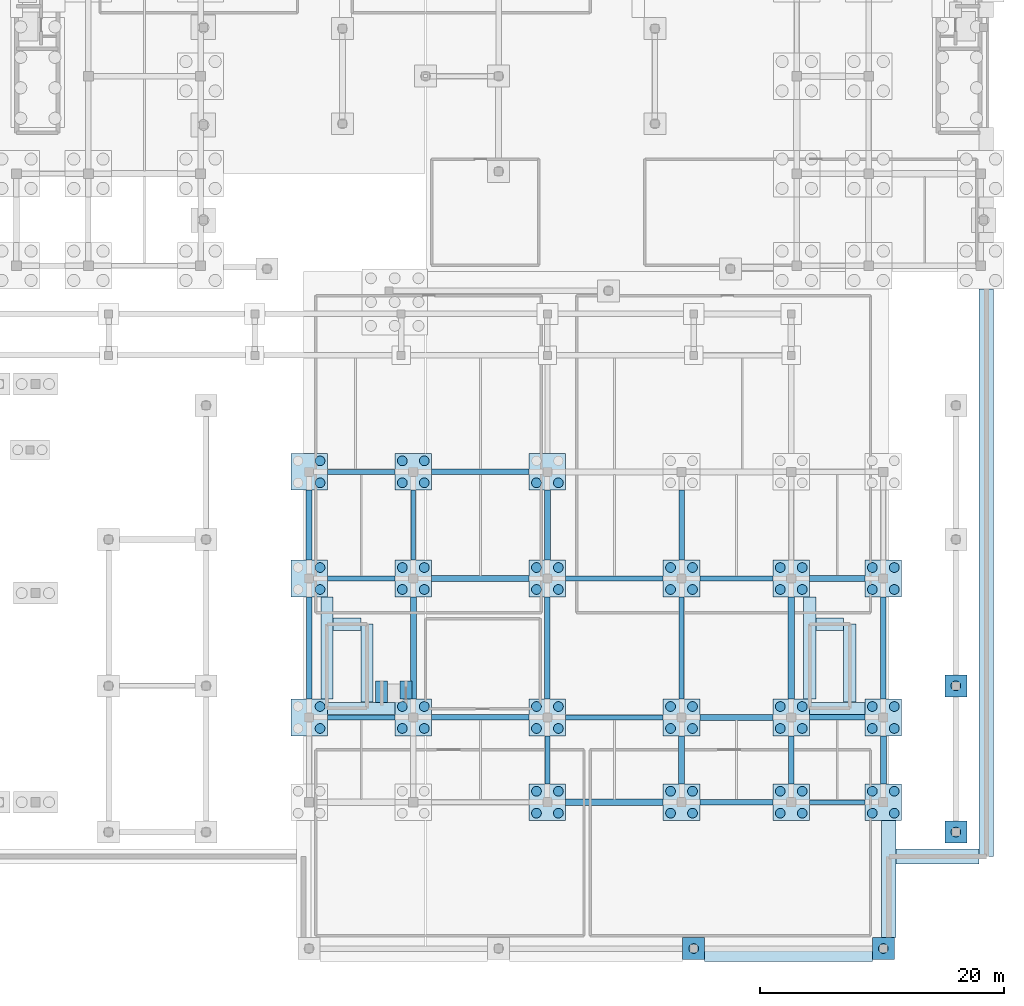
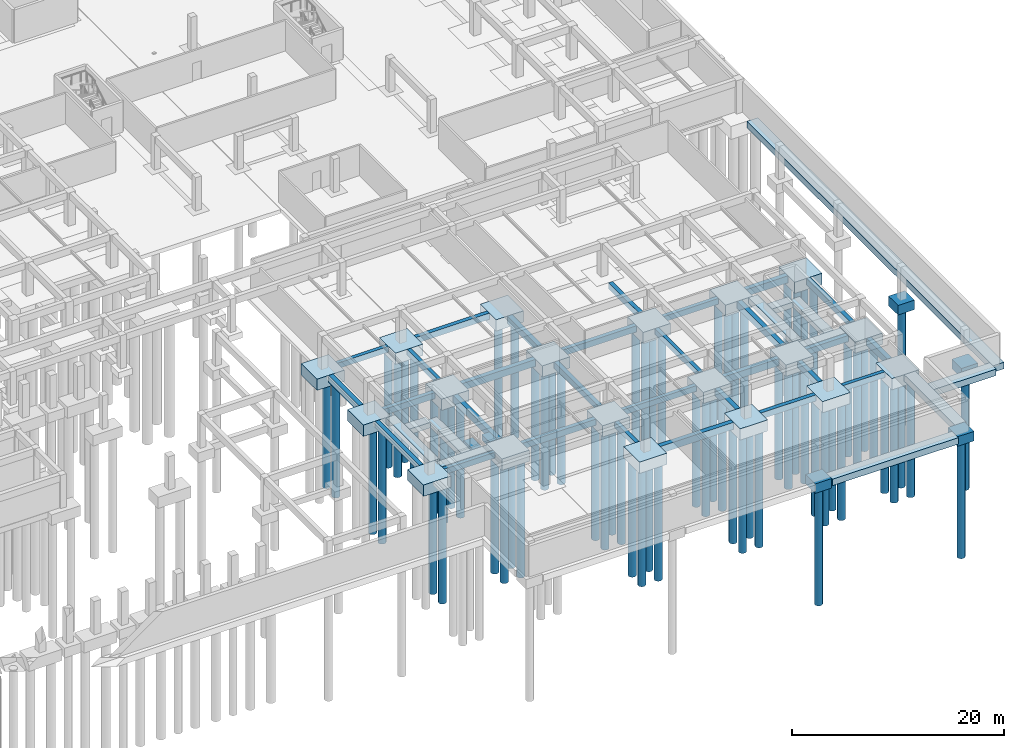
# One storey, part 9 of 35: 72 piles, 66 footings.
"""IFC4 building model written with IfcOpenShell, lengths in metres."""

from ifc_helpers import new_model, si_unit, direction, frame, origin, origin_2d, place, context, subcontext, project, spatial, rectangle, circle, extrude, material, material_profile, profile_set, type_object, element, save


model = new_model("IFC4")

# Units and contexts
model_context = context("Model", 3, precision=1e-05, world=origin(), true_north=direction((0.0, 1.0)))
body_context = subcontext(model_context, "Body", "Model", "MODEL_VIEW")
ifc_project = project(units=[si_unit("LENGTHUNIT", "METRE"), si_unit("AREAUNIT", "SQUARE_METRE"), si_unit("VOLUMEUNIT", "CUBIC_METRE"), si_unit("PLANEANGLEUNIT", "RADIAN"), si_unit("MASSUNIT", "GRAM", prefix="KILO")], contexts=[model_context])

# Site, building, storey
site_placement = place(None, origin())
site = spatial("IfcSite", under=ifc_project, at=site_placement, CompositionType="ELEMENT")
building_placement = place(site_placement, origin())
building = spatial("IfcBuilding", under=site, at=building_placement, Name="Keldmere Railside Commons", CompositionType="ELEMENT")
storey_placement = place(building_placement, frame((0.0, 0.0, -3.840087890625)))
storey = spatial("IfcBuildingStorey", under=building, at=storey_placement, Name="B1", CompositionType="ELEMENT", Elevation=-3.840087890625)

# Piles
ifc_material_1 = material(Name="Concrete H-30 (C30/37)", Category="concrete")
ifc_material_profile = material_profile(ifc_material_1, circle(Radius=0.39990234375, at=origin_2d()), Name="PILE-D800")
ifc_profile_set = profile_set([ifc_material_profile], Name="Concrete H-30 (C30/37)")
pile_type = type_object("IfcPileType", Name="Bored Concrete Pile D800", PredefinedType="BORED", material=ifc_profile_set)
for number, where, z_axis, x_axis, name in (
    (1, (129.35009765625, 18.5, -1.199951171875), (0.0, 0.0, -1.0), (1.0, 0.0, 0.0), "BP-800 PILE-0596"),
    (2, (129.35009765625, 20.300048828125, -1.199951171875), (0.0, 0.0, -1.0), (1.0, 0.0, 0.0), "BP-800 PILE-0597"),
    (3, (129.35009765625, 29.89990234375, -1.199951171875), (0.0, 0.0, -1.0), (1.0, 0.0, 0.0), "BP-800 PILE-0600"),
    (4, (129.35009765625, 31.699951171875, -1.199951171875), (0.0, 0.0, -1.0), (1.0, 0.0, 0.0), "BP-800 PILE-0601"),
    (5, (129.35009765625, 38.64990234375, -1.199951171875), (0.0, 0.0, -1.0), (1.0, 0.0, 0.0), "BP-800 PILE-0604"),
    (6, (129.35009765625, 40.449951171875, -1.199951171875), (0.0, 0.0, -1.0), (1.0, 0.0, 0.0), "BP-800 PILE-0605"),
    (7, (136.10009765625, 18.5, -1.199951171875), (0.0, 0.0, -1.0), (1.0, 0.0, 0.0), "BP-800 PILE-0630"),
    (8, (137.89990234375, 18.5, -1.199951171875), (0.0, 0.0, -1.0), (1.0, 0.0, 0.0), "BP-800 PILE-0631"),
    (9, (137.89990234375, 20.300048828125, -1.199951171875), (0.0, 0.0, -1.0), (1.0, 0.0, 0.0), "BP-800 PILE-0632"),
    (10, (136.10009765625, 20.300048828125, -1.199951171875), (0.0, 0.0, -1.0), (1.0, 0.0, 0.0), "BP-800 PILE-0633"),
    (11, (136.10009765625, 29.89990234375, -1.199951171875), (0.0, 0.0, -1.0), (1.0, 0.0, 0.0), "BP-800 PILE-0634"),
    (12, (137.89990234375, 29.89990234375, -1.199951171875), (0.0, 0.0, -1.0), (1.0, 0.0, 0.0), "BP-800 PILE-0635"),
    (13, (137.89990234375, 31.699951171875, -1.199951171875), (0.0, 0.0, -1.0), (1.0, 0.0, 0.0), "BP-800 PILE-0636"),
    (14, (136.10009765625, 31.699951171875, -1.199951171875), (0.0, 0.0, -1.0), (1.0, 0.0, 0.0), "BP-800 PILE-0637"),
    (15, (136.10009765625, 38.64990234375, -1.199951171875), (0.0, 0.0, -1.0), (1.0, 0.0, 0.0), "BP-800 PILE-0638"),
    (16, (137.89990234375, 38.64990234375, -1.199951171875), (0.0, 0.0, -1.0), (1.0, 0.0, 0.0), "BP-800 PILE-0639"),
    (17, (137.89990234375, 40.449951171875, -1.199951171875), (0.0, 0.0, -1.0), (1.0, 0.0, 0.0), "BP-800 PILE-0640"),
    (18, (136.10009765625, 40.449951171875, -1.199951171875), (0.0, 0.0, -1.0), (1.0, 0.0, 0.0), "BP-800 PILE-0641"),
    (19, (147.10009765625, 11.550048828125, -1.199951171875), (0.0, 0.0, -1.0), (1.0, 0.0, 0.0), "BP-800 PILE-0664"),
    (20, (148.89990234375, 11.550048828125, -1.199951171875), (0.0, 0.0, -1.0), (1.0, 0.0, 0.0), "BP-800 PILE-0665"),
    (21, (148.89990234375, 13.35009765625, -1.199951171875), (0.0, 0.0, -1.0), (1.0, 0.0, 0.0), "BP-800 PILE-0666"),
    (22, (147.10009765625, 13.35009765625, -1.199951171875), (0.0, 0.0, -1.0), (1.0, 0.0, 0.0), "BP-800 PILE-0667"),
    (23, (147.10009765625, 18.5, -1.199951171875), (0.0, 0.0, -1.0), (1.0, 0.0, 0.0), "BP-800 PILE-0668"),
    (24, (148.89990234375, 18.5, -1.199951171875), (0.0, 0.0, -1.0), (1.0, 0.0, 0.0), "BP-800 PILE-0669"),
    (25, (148.89990234375, 20.300048828125, -1.199951171875), (0.0, 0.0, -1.0), (1.0, 0.0, 0.0), "BP-800 PILE-0670"),
    (26, (147.10009765625, 20.300048828125, -1.199951171875), (0.0, 0.0, -1.0), (1.0, 0.0, 0.0), "BP-800 PILE-0671"),
    (27, (147.10009765625, 29.89990234375, -1.199951171875), (0.0, 0.0, -1.0), (1.0, 0.0, 0.0), "BP-800 PILE-0672"),
    (28, (148.89990234375, 29.89990234375, -1.199951171875), (0.0, 0.0, -1.0), (1.0, 0.0, 0.0), "BP-800 PILE-0673"),
    (29, (148.89990234375, 31.699951171875, -1.199951171875), (0.0, 0.0, -1.0), (1.0, 0.0, 0.0), "BP-800 PILE-0674"),
    (30, (147.10009765625, 31.699951171875, -1.199951171875), (0.0, 0.0, -1.0), (1.0, 0.0, 0.0), "BP-800 PILE-0675"),
    (31, (147.10009765625, 38.64990234375, -1.199951171875), (0.0, 0.0, -1.0), (1.0, 0.0, 0.0), "BP-800 PILE-0676"),
    (32, (148.89990234375, 38.64990234375, -1.199951171875), (0.0, 0.0, -1.0), (1.0, 0.0, 0.0), "BP-800 PILE-0677"),
    (33, (158.10009765625, 11.550048828125, -1.199951171875), (0.0, 0.0, -1.0), (1.0, 0.0, 0.0), "BP-800 PILE-0691"),
    (34, (159.89990234375, 11.550048828125, -1.199951171875), (0.0, 0.0, -1.0), (1.0, 0.0, 0.0), "BP-800 PILE-0692"),
    (35, (159.89990234375, 13.35009765625, -1.199951171875), (0.0, 0.0, -1.0), (1.0, 0.0, 0.0), "BP-800 PILE-0693"),
    (36, (158.10009765625, 13.35009765625, -1.199951171875), (0.0, 0.0, -1.0), (1.0, 0.0, 0.0), "BP-800 PILE-0694"),
    (37, (158.10009765625, 18.5, -1.199951171875), (0.0, 0.0, -1.0), (1.0, 0.0, 0.0), "BP-800 PILE-0695"),
    (38, (159.89990234375, 18.5, -1.199951171875), (0.0, 0.0, -1.0), (1.0, 0.0, 0.0), "BP-800 PILE-0696"),
    (39, (159.89990234375, 20.300048828125, -1.199951171875), (0.0, 0.0, -1.0), (1.0, 0.0, 0.0), "BP-800 PILE-0697"),
    (40, (158.10009765625, 20.300048828125, -1.199951171875), (0.0, 0.0, -1.0), (1.0, 0.0, 0.0), "BP-800 PILE-0698"),
    (41, (158.10009765625, 29.89990234375, -1.199951171875), (0.0, 0.0, -1.0), (1.0, 0.0, 0.0), "BP-800 PILE-0699"),
    (42, (159.89990234375, 29.89990234375, -1.199951171875), (0.0, 0.0, -1.0), (1.0, 0.0, 0.0), "BP-800 PILE-0700"),
    (43, (159.89990234375, 31.699951171875, -1.199951171875), (0.0, 0.0, -1.0), (1.0, 0.0, 0.0), "BP-800 PILE-0701"),
    (44, (158.10009765625, 31.699951171875, -1.199951171875), (0.0, 0.0, -1.0), (1.0, 0.0, 0.0), "BP-800 PILE-0702"),
):
    element("IfcPile", number, at=place(storey_placement, frame(where, z_axis=z_axis, x_axis=x_axis)), inside=storey, type_object=pile_type, Name=name, PredefinedType="BORED", context=body_context, shape_type="SweptSolid", body=[
        extrude(circle(Radius=0.39990234375, at=origin_2d()), origin(), (0.0, 0.0, 1.0), 13.4599609375),
    ])
pile_1_placement = place(storey_placement, frame((160.0, 0.449951171875, -1.0), z_axis=(0.0, 0.0, -1.0), x_axis=(1.0, 0.0, 0.0)))
element("IfcPile", 45, at=pile_1_placement, inside=storey, type_object=pile_type, Name="BP-800 PILE-0707", PredefinedType="BORED", context=body_context, shape_type="SweptSolid", body=[
    extrude(circle(Radius=0.39990234375, at=origin_2d()), origin(), (0.0, 0.0, 1.0), 13.659912109375),
])
for number, where, z_axis, x_axis, name in (
    (46, (167.10009765625, 11.550048828125, -1.199951171875), (0.0, 0.0, -1.0), (1.0, 0.0, 0.0), "BP-800 PILE-0721"),
    (47, (168.89990234375, 11.550048828125, -1.199951171875), (0.0, 0.0, -1.0), (1.0, 0.0, 0.0), "BP-800 PILE-0722"),
    (48, (168.89990234375, 13.35009765625, -1.199951171875), (0.0, 0.0, -1.0), (1.0, 0.0, 0.0), "BP-800 PILE-0723"),
    (49, (167.10009765625, 13.35009765625, -1.199951171875), (0.0, 0.0, -1.0), (1.0, 0.0, 0.0), "BP-800 PILE-0724"),
    (50, (167.10009765625, 18.5, -1.199951171875), (0.0, 0.0, -1.0), (1.0, 0.0, 0.0), "BP-800 PILE-0725"),
    (51, (168.89990234375, 18.5, -1.199951171875), (0.0, 0.0, -1.0), (1.0, 0.0, 0.0), "BP-800 PILE-0726"),
    (52, (168.89990234375, 20.300048828125, -1.199951171875), (0.0, 0.0, -1.0), (1.0, 0.0, 0.0), "BP-800 PILE-0727"),
    (53, (167.10009765625, 20.300048828125, -1.199951171875), (0.0, 0.0, -1.0), (1.0, 0.0, 0.0), "BP-800 PILE-0728"),
    (54, (167.10009765625, 29.89990234375, -1.199951171875), (0.0, 0.0, -1.0), (1.0, 0.0, 0.0), "BP-800 PILE-0729"),
    (55, (168.89990234375, 29.89990234375, -1.199951171875), (0.0, 0.0, -1.0), (1.0, 0.0, 0.0), "BP-800 PILE-0730"),
    (56, (168.89990234375, 31.699951171875, -1.199951171875), (0.0, 0.0, -1.0), (1.0, 0.0, 0.0), "BP-800 PILE-0731"),
    (57, (167.10009765625, 31.699951171875, -1.199951171875), (0.0, 0.0, -1.0), (1.0, 0.0, 0.0), "BP-800 PILE-0732"),
):
    element("IfcPile", number, at=place(storey_placement, frame(where, z_axis=z_axis, x_axis=x_axis)), inside=storey, type_object=pile_type, Name=name, PredefinedType="BORED", context=body_context, shape_type="SweptSolid", body=[
        extrude(circle(Radius=0.39990234375, at=origin_2d()), origin(), (0.0, 0.0, 1.0), 13.4599609375),
    ])
pile_2_placement = place(storey_placement, frame((175.550048828125, 0.449951171875, -1.0), z_axis=(0.0, 0.0, -1.0), x_axis=(1.0, 0.0, 0.0)))
element("IfcPile", 58, at=pile_2_placement, inside=storey, type_object=pile_type, Name="BP-800 PILE-0798", PredefinedType="BORED", context=body_context, shape_type="SweptSolid", body=[
    extrude(circle(Radius=0.39990234375, at=origin_2d()), origin(), (0.0, 0.0, 1.0), 13.659912109375),
])
for number, where, z_axis, x_axis, name in (
    (59, (174.64990234375, 11.550048828125, -1.199951171875), (0.0, 0.0, -1.0), (1.0, 0.0, 0.0), "BP-800 PILE-0799"),
    (60, (176.449951171875, 11.550048828125, -1.199951171875), (0.0, 0.0, -1.0), (1.0, 0.0, 0.0), "BP-800 PILE-0800"),
    (61, (176.449951171875, 13.35009765625, -1.199951171875), (0.0, 0.0, -1.0), (1.0, 0.0, 0.0), "BP-800 PILE-0801"),
    (62, (174.64990234375, 13.35009765625, -1.199951171875), (0.0, 0.0, -1.0), (1.0, 0.0, 0.0), "BP-800 PILE-0802"),
    (63, (174.64990234375, 18.5, -1.199951171875), (0.0, 0.0, -1.0), (1.0, 0.0, 0.0), "BP-800 PILE-0803"),
    (64, (176.449951171875, 18.5, -1.199951171875), (0.0, 0.0, -1.0), (1.0, 0.0, 0.0), "BP-800 PILE-0804"),
    (65, (176.449951171875, 20.300048828125, -1.199951171875), (0.0, 0.0, -1.0), (1.0, 0.0, 0.0), "BP-800 PILE-0805"),
    (66, (174.64990234375, 20.300048828125, -1.199951171875), (0.0, 0.0, -1.0), (1.0, 0.0, 0.0), "BP-800 PILE-0806"),
    (67, (174.64990234375, 29.89990234375, -1.199951171875), (0.0, 0.0, -1.0), (1.0, 0.0, 0.0), "BP-800 PILE-0807"),
    (68, (176.449951171875, 29.89990234375, -1.199951171875), (0.0, 0.0, -1.0), (1.0, 0.0, 0.0), "BP-800 PILE-0808"),
    (69, (176.449951171875, 31.699951171875, -1.199951171875), (0.0, 0.0, -1.0), (1.0, 0.0, 0.0), "BP-800 PILE-0809"),
    (70, (174.64990234375, 31.699951171875, -1.199951171875), (0.0, 0.0, -1.0), (1.0, 0.0, 0.0), "BP-800 PILE-0810"),
):
    element("IfcPile", number, at=place(storey_placement, frame(where, z_axis=z_axis, x_axis=x_axis)), inside=storey, type_object=pile_type, Name=name, PredefinedType="BORED", context=body_context, shape_type="SweptSolid", body=[
        extrude(circle(Radius=0.39990234375, at=origin_2d()), origin(), (0.0, 0.0, 1.0), 13.4599609375),
    ])
for number, where, z_axis, x_axis, name in (
    (71, (181.5, 10.0, -1.0), (0.0, 0.0, -1.0), (1.0, 0.0, 0.0), "BP-800 PILE-0823"),
    (72, (181.5, 22.0, -1.0), (0.0, 0.0, -1.0), (1.0, 0.0, 0.0), "BP-800 PILE-0824"),
):
    element("IfcPile", number, at=place(storey_placement, frame(where, z_axis=z_axis, x_axis=x_axis)), inside=storey, type_object=pile_type, Name=name, PredefinedType="BORED", context=body_context, shape_type="SweptSolid", body=[
        extrude(circle(Radius=0.39990234375, at=origin_2d()), origin(), (0.0, 0.0, 1.0), 13.659912109375),
    ])

# Footings
ifc_material_2 = material(Name="Concrete H-40 (C40/50)", Category="concrete")
footing_type_1 = type_object("IfcFootingType", Name="Four-Pile Cap 3000x3000x1300", PredefinedType="PILE_CAP", material=ifc_material_2)
for number, where, z_axis, x_axis, name in (
    (73, (128.449951171875, 19.39990234375, -1.2998046875), (0.0, 0.0, 1.0), (1.0, 0.0, 0.0), "PC-04 FTG-249"),
    (74, (128.449951171875, 30.800048828125, -1.2998046875), (0.0, 0.0, 1.0), (1.0, 0.0, 0.0), "PC-04 FTG-250"),
    (75, (128.449951171875, 39.550048828125, -1.2998046875), (0.0, 0.0, 1.0), (1.0, 0.0, 0.0), "PC-04 FTG-251"),
    (76, (137.0, 19.39990234375, -1.2998046875), (0.0, 0.0, 1.0), (1.0, 0.0, 0.0), "PC-04 FTG-259"),
    (77, (137.0, 30.800048828125, -1.2998046875), (0.0, 0.0, 1.0), (1.0, 0.0, 0.0), "PC-04 FTG-260"),
    (78, (137.0, 39.550048828125, -1.2998046875), (0.0, 0.0, 1.0), (1.0, 0.0, 0.0), "PC-04 FTG-261"),
    (79, (148.0, 12.449951171875, -1.2998046875), (0.0, 0.0, 1.0), (1.0, 0.0, 0.0), "PC-04 FTG-272"),
    (80, (148.0, 19.39990234375, -1.2998046875), (0.0, 0.0, 1.0), (1.0, 0.0, 0.0), "PC-04 FTG-273"),
    (81, (148.0, 30.800048828125, -1.2998046875), (0.0, 0.0, 1.0), (1.0, 0.0, 0.0), "PC-04 FTG-274"),
    (82, (148.0, 39.550048828125, -1.2998046875), (0.0, 0.0, 1.0), (1.0, 0.0, 0.0), "PC-04 FTG-275"),
    (83, (159.0, 12.449951171875, -1.2998046875), (0.0, 0.0, 1.0), (1.0, 0.0, 0.0), "PC-04 FTG-283"),
    (84, (159.0, 19.39990234375, -1.2998046875), (0.0, 0.0, 1.0), (1.0, 0.0, 0.0), "PC-04 FTG-284"),
    (85, (159.0, 30.800048828125, -1.2998046875), (0.0, 0.0, 1.0), (1.0, 0.0, 0.0), "PC-04 FTG-285"),
    (86, (168.0, 12.449951171875, -1.2998046875), (0.0, 0.0, 1.0), (1.0, 0.0, 0.0), "PC-04 FTG-294"),
    (87, (168.0, 19.39990234375, -1.2998046875), (0.0, 0.0, 1.0), (1.0, 0.0, 0.0), "PC-04 FTG-295"),
    (88, (168.0, 30.800048828125, -1.2998046875), (0.0, 0.0, 1.0), (1.0, 0.0, 0.0), "PC-04 FTG-296"),
    (89, (175.550048828125, 12.449951171875, -1.2998046875), (0.0, 0.0, 1.0), (1.0, 0.0, 0.0), "PC-04 FTG-316"),
    (90, (175.550048828125, 19.39990234375, -1.2998046875), (0.0, 0.0, 1.0), (1.0, 0.0, 0.0), "PC-04 FTG-317"),
    (91, (175.550048828125, 30.800048828125, -1.2998046875), (0.0, 0.0, 1.0), (1.0, 0.0, 0.0), "PC-04 FTG-318"),
):
    element("IfcFooting", number, at=place(storey_placement, frame(where, z_axis=z_axis, x_axis=x_axis)), inside=storey, type_object=footing_type_1, Name=name, PredefinedType="PILE_CAP", context=body_context, shape_type="SweptSolid", body=[
        extrude(rectangle(XDim=3.0, YDim=3.0, at=origin_2d()), origin(), (0.0, 0.0, 1.0), 1.300048828125),
    ])
footing_type_2 = type_object("IfcFootingType", Name="Perimeter Ground Tie Beam 400x650", PredefinedType="FOOTING_BEAM", material=ifc_material_2)
for number, where, z_axis, x_axis, name in (
    (92, (132.72509765625, 19.39990234375, -0.64990234375), (0.0, 0.0, 1.0), (1.0, 0.0, 0.0), "GB-03 GB-200"),
    (93, (132.72509765625, 39.550048828125, -0.64990234375), (0.0, 0.0, 1.0), (1.0, 0.0, 0.0), "GB-03 GB-203"),
):
    element("IfcFooting", number, at=place(storey_placement, frame(where, z_axis=z_axis, x_axis=x_axis)), inside=storey, type_object=footing_type_2, Name=name, PredefinedType="FOOTING_BEAM", context=body_context, shape_type="SweptSolid", body=[
        extrude(rectangle(XDim=5.550048828125, YDim=0.39990234375, at=origin_2d()), origin(), (0.0, 0.0, 1.0), 0.64990234375),
    ])
footing_1_placement = place(storey_placement, frame((137.0, 35.175048828125, -0.64990234375), z_axis=(0.0, 0.0, 1.0), x_axis=(0.0, 1.0, 0.0)))
element("IfcFooting", 94, at=footing_1_placement, inside=storey, type_object=footing_type_2, Name="GB-03 GB-212", PredefinedType="FOOTING_BEAM", context=body_context, shape_type="SweptSolid", body=[
    extrude(rectangle(XDim=5.75, YDim=0.39990234375, at=origin_2d()), origin(), (0.0, 0.0, 1.0), 0.64990234375),
])
footing_2_placement = place(storey_placement, frame((148.0, 15.925048828125, -0.64990234375), z_axis=(0.0, 0.0, 1.0), x_axis=(0.0, 1.0, 0.0)))
element("IfcFooting", 95, at=footing_2_placement, inside=storey, type_object=footing_type_2, Name="GB-03 GB-224", PredefinedType="FOOTING_BEAM", context=body_context, shape_type="SweptSolid", body=[
    extrude(rectangle(XDim=3.949951171875, YDim=0.39990234375, at=origin_2d()), origin(), (0.0, 0.0, 1.0), 0.64990234375),
])
footing_3_placement = place(storey_placement, frame((153.5, 19.39990234375, -0.64990234375), z_axis=(0.0, 0.0, 1.0), x_axis=(1.0, 0.0, 0.0)))
element("IfcFooting", 96, at=footing_3_placement, inside=storey, type_object=footing_type_2, Name="GB-03 GB-227", PredefinedType="FOOTING_BEAM", context=body_context, shape_type="SweptSolid", body=[
    extrude(rectangle(XDim=8.0, YDim=0.39990234375, at=origin_2d()), origin(), (0.0, 0.0, 1.0), 0.64990234375),
])
footing_4_placement = place(storey_placement, frame((159.0, 25.10009765625, -0.64990234375), z_axis=(0.0, 0.0, 1.0), x_axis=(0.0, 1.0, 0.0)))
element("IfcFooting", 97, at=footing_4_placement, inside=storey, type_object=footing_type_2, Name="GB-03 GB-239", PredefinedType="FOOTING_BEAM", context=body_context, shape_type="SweptSolid", body=[
    extrude(rectangle(XDim=8.39990234375, YDim=0.39990234375, at=origin_2d()), origin(), (0.0, 0.0, 1.0), 0.64990234375),
])
footing_5_placement = place(storey_placement, frame((163.5, 30.800048828125, -0.64990234375), z_axis=(0.0, 0.0, 1.0), x_axis=(1.0, 0.0, 0.0)))
element("IfcFooting", 98, at=footing_5_placement, inside=storey, type_object=footing_type_2, Name="GB-03 GB-242", PredefinedType="FOOTING_BEAM", context=body_context, shape_type="SweptSolid", body=[
    extrude(rectangle(XDim=6.0, YDim=0.39990234375, at=origin_2d()), origin(), (0.0, 0.0, 1.0), 0.64990234375),
])
footing_6_placement = place(storey_placement, frame((171.77490234375, 12.449951171875, -0.64990234375), z_axis=(0.0, 0.0, 1.0), x_axis=(1.0, 0.0, 0.0)))
element("IfcFooting", 99, at=footing_6_placement, inside=storey, type_object=footing_type_2, Name="GB-03 GB-254", PredefinedType="FOOTING_BEAM", context=body_context, shape_type="SweptSolid", body=[
    extrude(rectangle(XDim=4.550048828125, YDim=0.39990234375, at=origin_2d()), origin(), (0.0, 0.0, 1.0), 0.64990234375),
])
footing_type_3 = type_object("IfcFootingType", Name="Primary Ground Tie Beam 500x800", PredefinedType="FOOTING_BEAM", material=ifc_material_2)
footing_7_placement = place(storey_placement, frame((128.449951171875, 35.175048828125, -0.7998046875), z_axis=(0.0, 0.0, 1.0), x_axis=(0.0, 1.0, 0.0)))
element("IfcFooting", 100, at=footing_7_placement, inside=storey, type_object=footing_type_3, Name="GB-01 GB-201", PredefinedType="FOOTING_BEAM", context=body_context, shape_type="SweptSolid", body=[
    extrude(rectangle(XDim=5.75, YDim=0.5, at=origin_2d()), origin(), (0.0, 0.0, 1.0), 0.800048828125),
])
footing_8_placement = place(storey_placement, frame((137.0, 25.10009765625, -0.7998046875), z_axis=(0.0, 0.0, 1.0), x_axis=(0.0, 1.0, 0.0)))
element("IfcFooting", 101, at=footing_8_placement, inside=storey, type_object=footing_type_3, Name="GB-01 GB-210", PredefinedType="FOOTING_BEAM", context=body_context, shape_type="SweptSolid", body=[
    extrude(rectangle(XDim=8.39990234375, YDim=0.5, at=origin_2d()), origin(), (0.0, 0.0, 1.0), 0.800048828125),
])
for number, where, z_axis, x_axis, name in (
    (102, (142.5, 30.800048828125, -0.7998046875), (0.0, 0.0, 1.0), (1.0, 0.0, 0.0), "GB-01 GB-213"),
    (103, (153.5, 12.449951171875, -0.7998046875), (0.0, 0.0, 1.0), (1.0, 0.0, 0.0), "GB-01 GB-225"),
):
    element("IfcFooting", number, at=place(storey_placement, frame(where, z_axis=z_axis, x_axis=x_axis)), inside=storey, type_object=footing_type_3, Name=name, PredefinedType="FOOTING_BEAM", context=body_context, shape_type="SweptSolid", body=[
        extrude(rectangle(XDim=8.0, YDim=0.5, at=origin_2d()), origin(), (0.0, 0.0, 1.0), 0.800048828125),
    ])
footing_9_placement = place(storey_placement, frame((148.0, 35.175048828125, -0.7998046875), z_axis=(0.0, 0.0, 1.0), x_axis=(0.0, 1.0, 0.0)))
element("IfcFooting", 104, at=footing_9_placement, inside=storey, type_object=footing_type_3, Name="GB-01 GB-228", PredefinedType="FOOTING_BEAM", context=body_context, shape_type="SweptSolid", body=[
    extrude(rectangle(XDim=5.75, YDim=0.5, at=origin_2d()), origin(), (0.0, 0.0, 1.0), 0.800048828125),
])
footing_10_placement = place(storey_placement, frame((159.0, 15.925048828125, -0.7998046875), z_axis=(0.0, 0.0, 1.0), x_axis=(0.0, 1.0, 0.0)))
element("IfcFooting", 105, at=footing_10_placement, inside=storey, type_object=footing_type_3, Name="GB-01 GB-237", PredefinedType="FOOTING_BEAM", context=body_context, shape_type="SweptSolid", body=[
    extrude(rectangle(XDim=3.949951171875, YDim=0.5, at=origin_2d()), origin(), (0.0, 0.0, 1.0), 0.800048828125),
])
footing_11_placement = place(storey_placement, frame((163.5, 19.39990234375, -0.7998046875), z_axis=(0.0, 0.0, 1.0), x_axis=(1.0, 0.0, 0.0)))
element("IfcFooting", 106, at=footing_11_placement, inside=storey, type_object=footing_type_3, Name="GB-01 GB-240", PredefinedType="FOOTING_BEAM", context=body_context, shape_type="SweptSolid", body=[
    extrude(rectangle(XDim=6.0, YDim=0.5, at=origin_2d()), origin(), (0.0, 0.0, 1.0), 0.800048828125),
])
footing_12_placement = place(storey_placement, frame((168.0, 25.10009765625, -0.7998046875), z_axis=(0.0, 0.0, 1.0), x_axis=(0.0, 1.0, 0.0)))
element("IfcFooting", 107, at=footing_12_placement, inside=storey, type_object=footing_type_3, Name="GB-01 GB-255", PredefinedType="FOOTING_BEAM", context=body_context, shape_type="SweptSolid", body=[
    extrude(rectangle(XDim=8.39990234375, YDim=0.5, at=origin_2d()), origin(), (0.0, 0.0, 1.0), 0.800048828125),
])
footing_13_placement = place(storey_placement, frame((171.77490234375, 30.800048828125, -0.7998046875), z_axis=(0.0, 0.0, 1.0), x_axis=(1.0, 0.0, 0.0)))
element("IfcFooting", 108, at=footing_13_placement, inside=storey, type_object=footing_type_3, Name="GB-01 GB-258", PredefinedType="FOOTING_BEAM", context=body_context, shape_type="SweptSolid", body=[
    extrude(rectangle(XDim=4.550048828125, YDim=0.5, at=origin_2d()), origin(), (0.0, 0.0, 1.0), 0.800048828125),
])
footing_14_placement = place(storey_placement, frame((175.550048828125, 15.925048828125, -0.7998046875), z_axis=(0.0, 0.0, 1.0), x_axis=(0.0, 1.0, 0.0)))
element("IfcFooting", 109, at=footing_14_placement, inside=storey, type_object=footing_type_3, Name="GB-01 GB-285", PredefinedType="FOOTING_BEAM", context=body_context, shape_type="SweptSolid", body=[
    extrude(rectangle(XDim=3.949951171875, YDim=0.5, at=origin_2d()), origin(), (0.0, 0.0, 1.0), 0.800048828125),
])
footing_type_4 = type_object("IfcFootingType", Name="Ramp Wall Strip Footing 1000x650", PredefinedType="STRIP_FOOTING", material=ifc_material_2)
footing_15_placement = place(storey_placement, frame((136.39990234375, 21.64990234375, -0.64990234375), z_axis=(0.0, 0.0, 1.0), x_axis=(0.0, 1.0, 0.0)))
element("IfcFooting", 110, at=footing_15_placement, inside=storey, type_object=footing_type_4, Name="SF-02 WSF-026", PredefinedType="STRIP_FOOTING", context=body_context, shape_type="SweptSolid", body=[
    extrude(rectangle(XDim=1.5, YDim=1.0, at=origin_2d()), origin(), (0.0, 0.0, 1.0), 0.64990234375),
])
footing_16_placement = place(storey_placement, frame((134.39990234375, 21.52490234375, -0.64990234375), z_axis=(0.0, 0.0, 1.0), x_axis=(0.0, 1.0, 0.0)))
element("IfcFooting", 111, at=footing_16_placement, inside=storey, type_object=footing_type_4, Name="SF-02 WSF-027", PredefinedType="STRIP_FOOTING", context=body_context, shape_type="SweptSolid", body=[
    extrude(rectangle(XDim=1.75, YDim=1.0, at=origin_2d()), origin(), (0.0, 0.0, 1.0), 0.64990234375),
])
footing_17_placement = place(storey_placement, frame((133.199951171875, 23.85009765625, -0.64990234375), z_axis=(0.0, 0.0, 1.0), x_axis=(0.0, 1.0, 0.0)))
element("IfcFooting", 112, at=footing_17_placement, inside=storey, type_object=footing_type_4, Name="SF-02 WSF-095", PredefinedType="STRIP_FOOTING", context=body_context, shape_type="SweptSolid", body=[
    extrude(rectangle(XDim=6.39990234375, YDim=1.0, at=origin_2d()), origin(), (0.0, 0.0, 1.0), 0.64990234375),
])
footing_18_placement = place(storey_placement, frame((131.554931640625, 27.050048828125, -0.64990234375), z_axis=(0.0, 0.0, 1.0), x_axis=(1.0, 0.0, 0.0)))
element("IfcFooting", 113, at=footing_18_placement, inside=storey, type_object=footing_type_4, Name="SF-02 WSF-096", PredefinedType="STRIP_FOOTING", context=body_context, shape_type="SweptSolid", body=[
    extrude(rectangle(XDim=2.2900390625, YDim=1.0, at=origin_2d()), origin(), (0.0, 0.0, 1.0), 0.64990234375),
])
footing_19_placement = place(storey_placement, frame((132.72509765625, 20.14990234375, -0.64990234375), z_axis=(0.0, 0.0, 1.0), x_axis=(1.0, 0.0, 0.0)))
element("IfcFooting", 114, at=footing_19_placement, inside=storey, type_object=footing_type_4, Name="SF-02 WSF-097", PredefinedType="STRIP_FOOTING", context=body_context, shape_type="SweptSolid", body=[
    extrude(rectangle(XDim=5.550048828125, YDim=1.0, at=origin_2d()), origin(), (0.0, 0.0, 1.0), 0.64990234375),
])
footing_20_placement = place(storey_placement, frame((129.909912109375, 25.10009765625, -0.64990234375), z_axis=(0.0, 0.0, 1.0), x_axis=(0.0, 1.0, 0.0)))
element("IfcFooting", 115, at=footing_20_placement, inside=storey, type_object=footing_type_4, Name="SF-02 WSF-098", PredefinedType="STRIP_FOOTING", context=body_context, shape_type="SweptSolid", body=[
    extrude(rectangle(XDim=8.39990234375, YDim=1.0, at=origin_2d()), origin(), (0.0, 0.0, 1.0), 0.64990234375),
])
footing_21_placement = place(storey_placement, frame((172.800048828125, 23.85009765625, -0.64990234375), z_axis=(0.0, 0.0, 1.0), x_axis=(0.0, 1.0, 0.0)))
element("IfcFooting", 116, at=footing_21_placement, inside=storey, type_object=footing_type_4, Name="SF-02 WSF-099", PredefinedType="STRIP_FOOTING", context=body_context, shape_type="SweptSolid", body=[
    extrude(rectangle(XDim=6.39990234375, YDim=1.0, at=origin_2d()), origin(), (0.0, 0.0, 1.0), 0.64990234375),
])
footing_22_placement = place(storey_placement, frame((171.155029296875, 27.050048828125, -0.64990234375), z_axis=(0.0, 0.0, 1.0), x_axis=(1.0, 0.0, 0.0)))
element("IfcFooting", 117, at=footing_22_placement, inside=storey, type_object=footing_type_4, Name="SF-02 WSF-100", PredefinedType="STRIP_FOOTING", context=body_context, shape_type="SweptSolid", body=[
    extrude(rectangle(XDim=2.2900390625, YDim=1.0, at=origin_2d()), origin(), (0.0, 0.0, 1.0), 0.64990234375),
])
footing_23_placement = place(storey_placement, frame((171.780029296875, 20.14990234375, -0.64990234375), z_axis=(0.0, 0.0, 1.0), x_axis=(1.0, 0.0, 0.0)))
element("IfcFooting", 118, at=footing_23_placement, inside=storey, type_object=footing_type_4, Name="SF-02 WSF-101", PredefinedType="STRIP_FOOTING", context=body_context, shape_type="SweptSolid", body=[
    extrude(rectangle(XDim=4.5400390625, YDim=1.0, at=origin_2d()), origin(), (0.0, 0.0, 1.0), 0.64990234375),
])
footing_24_placement = place(storey_placement, frame((169.510009765625, 25.10009765625, -0.64990234375), z_axis=(0.0, 0.0, 1.0), x_axis=(0.0, 1.0, 0.0)))
element("IfcFooting", 119, at=footing_24_placement, inside=storey, type_object=footing_type_4, Name="SF-02 WSF-102", PredefinedType="STRIP_FOOTING", context=body_context, shape_type="SweptSolid", body=[
    extrude(rectangle(XDim=8.39990234375, YDim=1.0, at=origin_2d()), origin(), (0.0, 0.0, 1.0), 0.64990234375),
])
footing_type_5 = type_object("IfcFootingType", Name="Retaining Wall Strip Footing 1200x750", PredefinedType="STRIP_FOOTING", material=ifc_material_2)
footing_25_placement = place(storey_placement, frame((184.0, 31.27490234375, -0.75), z_axis=(0.0, 0.0, 1.0), x_axis=(0.0, 1.0, 0.0)))
element("IfcFooting", 120, at=footing_25_placement, inside=storey, type_object=footing_type_5, Name="SF-01 WSF-005", PredefinedType="STRIP_FOOTING", context=body_context, shape_type="SweptSolid", body=[
    extrude(rectangle(XDim=46.550048828125, YDim=1.199951171875, at=origin_2d()), origin(), (0.0, 0.0, 1.0), 0.75),
])
footing_26_placement = place(storey_placement, frame((180.0, 8.0, -0.75), z_axis=(0.0, 0.0, 1.0), x_axis=(1.0, 0.0, 0.0)))
element("IfcFooting", 121, at=footing_26_placement, inside=storey, type_object=footing_type_5, Name="SF-01 WSF-015", PredefinedType="STRIP_FOOTING", context=body_context, shape_type="SweptSolid", body=[
    extrude(rectangle(XDim=6.800048828125, YDim=1.199951171875, at=origin_2d()), origin(), (0.0, 0.0, 1.0), 0.75),
])
footing_27_placement = place(storey_placement, frame((176.0, 6.14990234375, -0.75), z_axis=(0.0, 0.0, 1.0), x_axis=(0.0, 1.0, 0.0)))
element("IfcFooting", 122, at=footing_27_placement, inside=storey, type_object=footing_type_5, Name="SF-01 WSF-016", PredefinedType="STRIP_FOOTING", context=body_context, shape_type="SweptSolid", body=[
    extrude(rectangle(XDim=9.60009765625, YDim=1.199951171875, at=origin_2d()), origin(), (0.0, 0.0, 1.0), 0.75),
])
footing_28_placement = place(storey_placement, frame((167.77490234375, 0.0, -0.75), z_axis=(0.0, 0.0, 1.0), x_axis=(1.0, 0.0, 0.0)))
element("IfcFooting", 123, at=footing_28_placement, inside=storey, type_object=footing_type_5, Name="SF-01 WSF-019", PredefinedType="STRIP_FOOTING", context=body_context, shape_type="SweptSolid", body=[
    extrude(rectangle(XDim=13.75, YDim=1.199951171875, at=origin_2d()), origin(), (0.0, 0.0, 1.0), 0.75),
])
footing_type_6 = type_object("IfcFootingType", Name="Secondary Ground Tie Beam 450x700", PredefinedType="FOOTING_BEAM", material=ifc_material_2)
footing_29_placement = place(storey_placement, frame((128.449951171875, 25.10009765625, -0.69970703125), z_axis=(0.0, 0.0, 1.0), x_axis=(0.0, 1.0, 0.0)))
element("IfcFooting", 124, at=footing_29_placement, inside=storey, type_object=footing_type_6, Name="GB-02 GB-199", PredefinedType="FOOTING_BEAM", context=body_context, shape_type="SweptSolid", body=[
    extrude(rectangle(XDim=8.39990234375, YDim=0.449951171875, at=origin_2d()), origin(), (0.0, 0.0, 1.0), 0.699951171875),
])
footing_30_placement = place(storey_placement, frame((132.72509765625, 30.800048828125, -0.69970703125), z_axis=(0.0, 0.0, 1.0), x_axis=(1.0, 0.0, 0.0)))
element("IfcFooting", 125, at=footing_30_placement, inside=storey, type_object=footing_type_6, Name="GB-02 GB-202", PredefinedType="FOOTING_BEAM", context=body_context, shape_type="SweptSolid", body=[
    extrude(rectangle(XDim=5.550048828125, YDim=0.449951171875, at=origin_2d()), origin(), (0.0, 0.0, 1.0), 0.699951171875),
])
for number, where, z_axis, x_axis, name in (
    (126, (142.5, 19.39990234375, -0.69970703125), (0.0, 0.0, 1.0), (1.0, 0.0, 0.0), "GB-02 GB-211"),
    (127, (142.5, 39.550048828125, -0.69970703125), (0.0, 0.0, 1.0), (1.0, 0.0, 0.0), "GB-02 GB-214"),
):
    element("IfcFooting", number, at=place(storey_placement, frame(where, z_axis=z_axis, x_axis=x_axis)), inside=storey, type_object=footing_type_6, Name=name, PredefinedType="FOOTING_BEAM", context=body_context, shape_type="SweptSolid", body=[
        extrude(rectangle(XDim=8.0, YDim=0.449951171875, at=origin_2d()), origin(), (0.0, 0.0, 1.0), 0.699951171875),
    ])
footing_31_placement = place(storey_placement, frame((148.0, 25.10009765625, -0.69970703125), z_axis=(0.0, 0.0, 1.0), x_axis=(0.0, 1.0, 0.0)))
element("IfcFooting", 128, at=footing_31_placement, inside=storey, type_object=footing_type_6, Name="GB-02 GB-226", PredefinedType="FOOTING_BEAM", context=body_context, shape_type="SweptSolid", body=[
    extrude(rectangle(XDim=8.39990234375, YDim=0.449951171875, at=origin_2d()), origin(), (0.0, 0.0, 1.0), 0.699951171875),
])
footing_32_placement = place(storey_placement, frame((153.5, 30.800048828125, -0.69970703125), z_axis=(0.0, 0.0, 1.0), x_axis=(1.0, 0.0, 0.0)))
element("IfcFooting", 129, at=footing_32_placement, inside=storey, type_object=footing_type_6, Name="GB-02 GB-229", PredefinedType="FOOTING_BEAM", context=body_context, shape_type="SweptSolid", body=[
    extrude(rectangle(XDim=8.0, YDim=0.449951171875, at=origin_2d()), origin(), (0.0, 0.0, 1.0), 0.699951171875),
])
footing_33_placement = place(storey_placement, frame((163.5, 12.449951171875, -0.69970703125), z_axis=(0.0, 0.0, 1.0), x_axis=(1.0, 0.0, 0.0)))
element("IfcFooting", 130, at=footing_33_placement, inside=storey, type_object=footing_type_6, Name="GB-02 GB-238", PredefinedType="FOOTING_BEAM", context=body_context, shape_type="SweptSolid", body=[
    extrude(rectangle(XDim=6.0, YDim=0.449951171875, at=origin_2d()), origin(), (0.0, 0.0, 1.0), 0.699951171875),
])
footing_34_placement = place(storey_placement, frame((159.0, 35.175048828125, -0.69970703125), z_axis=(0.0, 0.0, 1.0), x_axis=(0.0, 1.0, 0.0)))
element("IfcFooting", 131, at=footing_34_placement, inside=storey, type_object=footing_type_6, Name="GB-02 GB-241", PredefinedType="FOOTING_BEAM", context=body_context, shape_type="SweptSolid", body=[
    extrude(rectangle(XDim=5.75, YDim=0.449951171875, at=origin_2d()), origin(), (0.0, 0.0, 1.0), 0.699951171875),
])
footing_35_placement = place(storey_placement, frame((168.0, 15.925048828125, -0.69970703125), z_axis=(0.0, 0.0, 1.0), x_axis=(0.0, 1.0, 0.0)))
element("IfcFooting", 132, at=footing_35_placement, inside=storey, type_object=footing_type_6, Name="GB-02 GB-253", PredefinedType="FOOTING_BEAM", context=body_context, shape_type="SweptSolid", body=[
    extrude(rectangle(XDim=3.949951171875, YDim=0.449951171875, at=origin_2d()), origin(), (0.0, 0.0, 1.0), 0.699951171875),
])
footing_36_placement = place(storey_placement, frame((171.77490234375, 19.39990234375, -0.69970703125), z_axis=(0.0, 0.0, 1.0), x_axis=(1.0, 0.0, 0.0)))
element("IfcFooting", 133, at=footing_36_placement, inside=storey, type_object=footing_type_6, Name="GB-02 GB-256", PredefinedType="FOOTING_BEAM", context=body_context, shape_type="SweptSolid", body=[
    extrude(rectangle(XDim=4.550048828125, YDim=0.449951171875, at=origin_2d()), origin(), (0.0, 0.0, 1.0), 0.699951171875),
])
footing_37_placement = place(storey_placement, frame((175.550048828125, 25.10009765625, -0.69970703125), z_axis=(0.0, 0.0, 1.0), x_axis=(0.0, 1.0, 0.0)))
element("IfcFooting", 134, at=footing_37_placement, inside=storey, type_object=footing_type_6, Name="GB-02 GB-286", PredefinedType="FOOTING_BEAM", context=body_context, shape_type="SweptSolid", body=[
    extrude(rectangle(XDim=8.39990234375, YDim=0.449951171875, at=origin_2d()), origin(), (0.0, 0.0, 1.0), 0.699951171875),
])
footing_type_7 = type_object("IfcFootingType", Name="Single-Pile Cap 1800x1800x1100", PredefinedType="PILE_CAP", material=ifc_material_2)
for number, where, z_axis, x_axis, name in (
    (135, (160.0, 0.449951171875, -1.099853515625), (0.0, 0.0, 1.0), (1.0, 0.0, 0.0), "PC-01 FTG-287"),
    (136, (175.550048828125, 0.449951171875, -1.099853515625), (0.0, 0.0, 1.0), (1.0, 0.0, 0.0), "PC-01 FTG-315"),
    (137, (181.5, 10.0, -1.099853515625), (0.0, 0.0, 1.0), (1.0, 0.0, 0.0), "PC-01 FTG-322"),
    (138, (181.5, 22.0, -1.099853515625), (0.0, 0.0, 1.0), (1.0, 0.0, 0.0), "PC-01 FTG-323"),
):
    element("IfcFooting", number, at=place(storey_placement, frame(where, z_axis=z_axis, x_axis=x_axis)), inside=storey, type_object=footing_type_7, Name=name, PredefinedType="PILE_CAP", context=body_context, shape_type="SweptSolid", body=[
        extrude(rectangle(XDim=1.800048828125, YDim=1.800048828125, at=origin_2d()), origin(), (0.0, 0.0, 1.0), 1.10009765625),
    ])

save(model, "model.ifc")
